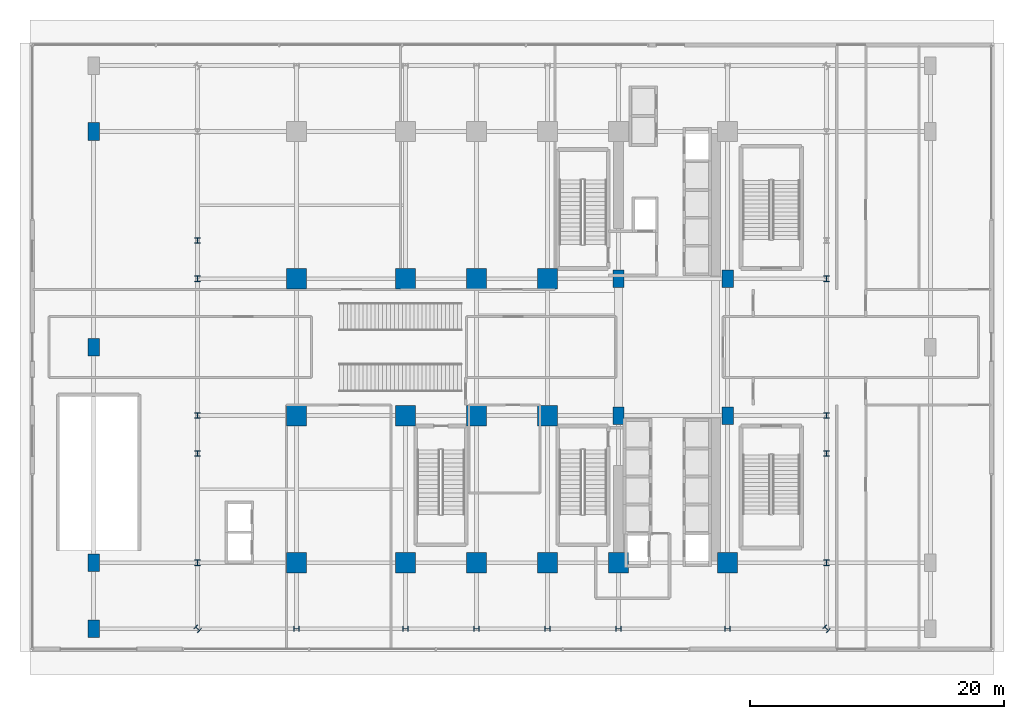
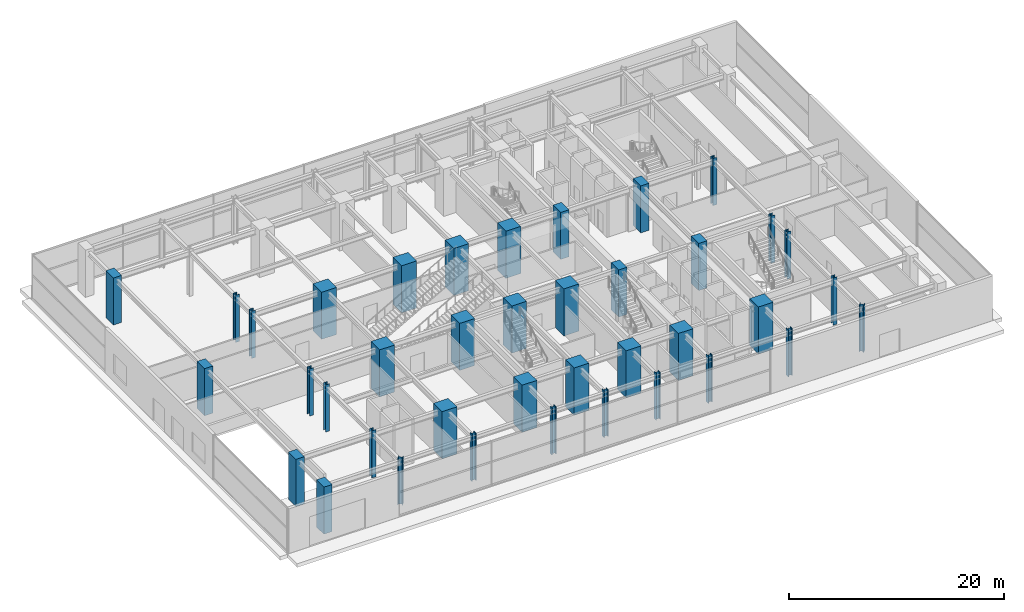
# One storey, part 1 of 29: 39 columns.
"""IFC4 building model written with IfcOpenShell, lengths in metres."""

import ifcopenshell
import ifcopenshell.guid

model = None  # the IFC model being written
_history = None  # IfcOwnerHistory: only IFC2X3 demands one
_inside = {}  # id of a spatial element -> (the spatial element, [elements in it])
_under = {}  # id of a project, library or spatial element -> (it, [spatial elements below it])
_declared = {}  # id of a project -> (the project, [libraries it declares])
_typed = {}  # id of a type object -> (the type object, [elements of that type])
_made_of = {}  # id of a material, layer set ... -> (it, [elements and type objects made of it])


def new_model(schema):
    """Start an empty IFC model of exactly this schema.

    Asked for "IFC4X3", IfcOpenShell would pick the latest addendum, in which some entities
    have other attributes; the version numbers below select the first issue.
    IFC2X3 requires an IfcOwnerHistory on every rooted entity: one is made here for all.
    """
    global model, _history
    if schema == "IFC4X3":
        model = ifcopenshell.file(schema_version=(4, 3, 0, 0))
    else:
        model = ifcopenshell.file(schema=schema)
    _inside.clear()
    _under.clear()
    _declared.clear()
    _typed.clear()
    _made_of.clear()
    _history = None
    if model.schema == "IFC2X3":
        org = make("IfcOrganization", Name="unknown")
        user = make(
            "IfcPersonAndOrganization",
            ThePerson=make("IfcPerson", FamilyName="unknown"),
            TheOrganization=org,
        )
        app = make(
            "IfcApplication",
            ApplicationDeveloper=org,
            Version="unknown",
            ApplicationFullName="unknown",
            ApplicationIdentifier="unknown",
        )
        _history = make(
            "IfcOwnerHistory",
            OwningUser=user,
            OwningApplication=app,
            ChangeAction="ADDED",
            CreationDate=0,
        )
    return model


def make(cls, **values):
    """One entity of the class cls with the attributes given. An attribute that is None is left unset."""
    return model.create_entity(
        cls, **{name: value for name, value in values.items() if value is not None}
    )


def rooted(cls, **values):
    """An entity with a GlobalId (a new one), such as an element, a storey or a relation."""
    return make(cls, GlobalId=ifcopenshell.guid.new(), OwnerHistory=_history, **values)


def si_unit(unit_type, name, prefix=None):
    """IfcSIUnit, for example si_unit("LENGTHUNIT", "METRE", prefix="MILLI")."""
    return make("IfcSIUnit", UnitType=unit_type, Prefix=prefix, Name=name)


def assignment(units):
    """IfcUnitAssignment: the units of a project."""
    return None if units is None else make("IfcUnitAssignment", Units=units)


def point(xyz):
    """IfcCartesianPoint."""
    return None if xyz is None else make("IfcCartesianPoint", Coordinates=xyz)


def direction(xyz):
    """IfcDirection."""
    return None if xyz is None else make("IfcDirection", DirectionRatios=xyz)


def frame(location, z_axis=None, x_axis=None):
    """IfcAxis2Placement3D, a coordinate frame: its origin and axes. An axis left out is left unset."""
    return make(
        "IfcAxis2Placement3D",
        Location=point(location),
        Axis=direction(z_axis),
        RefDirection=direction(x_axis),
    )


def frame_2d(location, x_axis=None):
    """IfcAxis2Placement2D, a coordinate frame in the plane: its origin and x axis."""
    return make(
        "IfcAxis2Placement2D", Location=point(location), RefDirection=direction(x_axis)
    )


def origin():
    """The frame at (0, 0, 0) with its axes left unset."""
    return frame((0.0, 0.0, 0.0))


def origin_2d():
    """The frame at (0, 0) in the plane with its x axis left unset."""
    return frame_2d((0.0, 0.0))


def place(relative_to, where):
    """IfcLocalPlacement: puts the frame where relative to a parent placement (None: the world)."""
    return make(
        "IfcLocalPlacement", PlacementRelTo=relative_to, RelativePlacement=where
    )


def context(
    kind, dimensions, precision=None, world=None, true_north=None, identifier=None
):
    """IfcGeometricRepresentationContext, for example the 3D "Model" context."""
    return make(
        "IfcGeometricRepresentationContext",
        ContextIdentifier=identifier,
        ContextType=kind,
        CoordinateSpaceDimension=dimensions,
        Precision=precision,
        WorldCoordinateSystem=world,
        TrueNorth=true_north,
    )


def subcontext(parent, identifier, kind, view, scale=None):
    """IfcGeometricRepresentationSubContext, for example "Body" below "Model"."""
    return make(
        "IfcGeometricRepresentationSubContext",
        ContextIdentifier=identifier,
        ContextType=kind,
        ParentContext=parent,
        TargetScale=scale,
        TargetView=view,
    )


def project(units=None, contexts=None):
    """IfcProject with its units and contexts."""
    return rooted(
        "IfcProject",
        Name="project",
        RepresentationContexts=contexts,
        UnitsInContext=assignment(units),
    )


def spatial(cls, under=None, at=None, **own):
    """A site, building, storey or space (cls), placed at a placement, below another one or the project."""
    s = rooted(cls, ObjectPlacement=at, **own)
    if under is not None:
        _under.setdefault(under.id(), (under, []))[1].append(s)
    return s


def profile(cls, at=None, kind="AREA", **sizes):
    """A parametric profile (cls). Its sizes go by their IFC names, for example OverallWidth=200.0."""
    return make(cls, ProfileType=kind, Position=at, **sizes)


def rectangle(**sizes):
    """IfcRectangleProfileDef."""
    return profile("IfcRectangleProfileDef", **sizes)


def i_section(**sizes):
    """IfcIShapeProfileDef."""
    return profile("IfcIShapeProfileDef", **sizes)


def extrude(swept, where, along, depth):
    """IfcExtrudedAreaSolid: the profile swept, set in the frame where, extruded along a direction by depth."""
    return make(
        "IfcExtrudedAreaSolid",
        SweptArea=swept,
        Position=where,
        ExtrudedDirection=direction(along),
        Depth=depth,
    )


def shape(context_of_items, identifier, shape_type, items):
    """IfcShapeRepresentation: the items that make up one representation, for example the "Body"."""
    return make(
        "IfcShapeRepresentation",
        ContextOfItems=context_of_items,
        RepresentationIdentifier=identifier,
        RepresentationType=shape_type,
        Items=items,
    )


def source(mapping_origin, context_of_items, identifier, shape_type, items):
    """IfcRepresentationMap: a shape defined once, which mapped items show again and again."""
    return make(
        "IfcRepresentationMap",
        MappingOrigin=mapping_origin,
        MappedRepresentation=shape(context_of_items, identifier, shape_type, items),
    )


def transform(
    local_origin,
    x_axis=None,
    y_axis=None,
    z_axis=None,
    scale=None,
    scale2=None,
    scale3=None,
    uniform=True,
):
    """IfcCartesianTransformationOperator3D, or its non-uniform kind. x_axis, y_axis, z_axis: its Axis1, 2, 3."""
    if uniform:
        return make(
            "IfcCartesianTransformationOperator3D",
            Axis1=direction(x_axis),
            Axis2=direction(y_axis),
            LocalOrigin=point(local_origin),
            Scale=scale,
            Axis3=direction(z_axis),
        )
    return make(
        "IfcCartesianTransformationOperator3DnonUniform",
        Axis1=direction(x_axis),
        Axis2=direction(y_axis),
        LocalOrigin=point(local_origin),
        Scale=scale,
        Axis3=direction(z_axis),
        Scale2=scale2,
        Scale3=scale3,
    )


def mapped(mapping_source, mapping_target):
    """IfcMappedItem: shows the shape of a source again, moved by a transform."""
    return make(
        "IfcMappedItem", MappingSource=mapping_source, MappingTarget=mapping_target
    )


def material(Name=None, Category=None):
    """IfcMaterial."""
    return make("IfcMaterial", Name=Name, Category=Category)


def material_profile(
    of_material, cross_section, Name=None, Category=None, Priority=None
):
    """IfcMaterialProfile: a cross section and its material."""
    return make(
        "IfcMaterialProfile",
        Name=Name,
        Material=of_material,
        Profile=cross_section,
        Priority=Priority,
        Category=Category,
    )


def profile_set(profiles, Name=None, composite=None):
    """IfcMaterialProfileSet."""
    return make(
        "IfcMaterialProfileSet",
        Name=Name,
        MaterialProfiles=profiles,
        CompositeProfile=composite,
    )


def made_of(thing, what):
    """Note that an element or type object is made of a material, layer set ...; save() writes the relation."""
    if what is not None:
        _made_of.setdefault(what.id(), (what, []))[1].append(thing)
    return thing


def type_object(cls, material=None, **own):
    """A type object (cls), such as IfcWallType, which elements share."""
    return made_of(rooted(cls, **own), material)


def element(
    cls,
    number,
    at=None,
    inside=None,
    cuts=None,
    type_object=None,
    material=None,
    context=None,
    identifier="Body",
    shape_type=None,
    held_by="IfcProductDefinitionShape",
    body=None,
    shapes=None,
    **own,
):
    """One element of the class cls, such as IfcWall. Its Tag is "e" and its number.

    at: its placement. inside: the storey or other place that contains it. cuts: it is an
    opening in that element (IfcRelVoidsElement). A single representation is given by context,
    identifier, shape_type and body (its items); several are given by shapes. held_by: the class
    of the entity that holds the representations. save() writes the other relations.
    """
    e = rooted(cls, Tag="e%d" % number, ObjectPlacement=at, **own)
    if body is not None:
        shapes = [shape(context, identifier, shape_type, body)]
    if shapes is not None:
        e.Representation = make(held_by, Representations=shapes)
    if inside is not None:
        _inside.setdefault(inside.id(), (inside, []))[1].append(e)
    if cuts is not None:
        rooted(
            "IfcRelVoidsElement", RelatingBuildingElement=cuts, RelatedOpeningElement=e
        )
    if type_object is not None:
        _typed.setdefault(type_object.id(), (type_object, []))[1].append(e)
    return made_of(e, material)


def aggregate(whole, parts):
    """IfcRelAggregates: a whole, such as a stair, and the parts it consists of."""
    return rooted("IfcRelAggregates", RelatingObject=whole, RelatedObjects=parts)


def save(model, path):
    """Write the relations noted so far, then the file.

    IfcRelAggregates (storeys below a building ...), IfcRelContainedInSpatialStructure (elements
    in a storey), IfcRelDefinesByType, IfcRelAssociatesMaterial and IfcRelDeclares: one each for
    every whole, place, type object, material and project.
    """
    for whole, parts in _under.values():
        aggregate(whole, parts)
    for where, things in _inside.values():
        rooted(
            "IfcRelContainedInSpatialStructure",
            RelatedElements=things,
            RelatingStructure=where,
        )
    for kind, things in _typed.values():
        rooted("IfcRelDefinesByType", RelatedObjects=things, RelatingType=kind)
    for what, things in _made_of.values():
        rooted("IfcRelAssociatesMaterial", RelatedObjects=things, RelatingMaterial=what)
    for by, libraries in _declared.values():
        rooted("IfcRelDeclares", RelatingContext=by, RelatedDefinitions=libraries)
    model.write(path)


model = new_model("IFC4")

# Units and contexts
model_context = context("Model", 3, precision=1e-05, world=origin(), true_north=direction((0.0, 1.0)))
body_context = subcontext(model_context, "Body", "Model", "MODEL_VIEW")
ifc_project = project(units=[si_unit("LENGTHUNIT", "METRE"), si_unit("AREAUNIT", "SQUARE_METRE"), si_unit("VOLUMEUNIT", "CUBIC_METRE"), si_unit("PLANEANGLEUNIT", "RADIAN"), si_unit("MASSUNIT", "GRAM", prefix="KILO")], contexts=[model_context])

# Site, building, storey
site_placement = place(None, origin())
site = spatial("IfcSite", under=ifc_project, at=site_placement, CompositionType="ELEMENT")
building_placement = place(site_placement, origin())
building = spatial("IfcBuilding", under=site, at=building_placement, Name="Nahalor Promenade Grand Hotel", CompositionType="ELEMENT")
storey_placement = place(building_placement, origin())
storey = spatial("IfcBuildingStorey", under=building, at=storey_placement, Name="L00", CompositionType="ELEMENT", Elevation=0.0)

# Columns
ifc_material_1 = material(Name="Concrete B-70 (C60/75)", Category="concrete")
ifc_material_profile_1 = material_profile(ifc_material_1, rectangle(XDim=1.6, YDim=1.6, at=origin_2d()), Name="RC 1600x1600")
ifc_profile_set_1 = profile_set([ifc_material_profile_1], Name="Concrete B-70 (C60/75)")
column_type_1 = type_object("IfcColumnType", Name="Col-RC-1600", PredefinedType="COLUMN", material=ifc_profile_set_1)
shared_shape_1 = source(origin(), body_context, "Body", "SweptSolid", [
    extrude(rectangle(XDim=1.6, YDim=1.6, at=origin_2d()), origin(), (0.0, 0.0, 1.0), 5.35498046875),
])
for number, where, z_axis, x_axis, name in (
    (1, (-17.0, -17.0, 0.0), (0.0, 0.0, 1.0), (1.0, 0.0, 0.0), "COL-L00-I00"),
    (2, (-17.0, -5.39990234375, 0.0), (0.0, 0.0, 1.0), (1.0, 0.0, 0.0), "COL-L00-I01"),
    (3, (-17.0, 5.39990234375, 0.0), (0.0, 0.0, 1.0), (1.0, 0.0, 0.0), "COL-L00-I02"),
    (4, (-8.39990234375, -17.0, 0.0), (0.0, 0.0, 1.0), (1.0, 0.0, 0.0), "COL-L00-I10"),
    (5, (-8.39990234375, -5.39990234375, 0.0), (0.0, 0.0, 1.0), (1.0, 0.0, 0.0), "COL-L00-I11"),
    (6, (-8.39990234375, 5.39990234375, 0.0), (0.0, 0.0, 1.0), (1.0, 0.0, 0.0), "COL-L00-I12"),
    (7, (-2.800048828125, -17.0, 0.0), (0.0, 0.0, 1.0), (1.0, 0.0, 0.0), "COL-L00-I20"),
    (8, (-2.800048828125, -5.39990234375, 0.0), (0.0, 0.0, 1.0), (1.0, 0.0, 0.0), "COL-L00-I21"),
    (9, (-2.800048828125, 5.39990234375, 0.0), (0.0, 0.0, 1.0), (1.0, 0.0, 0.0), "COL-L00-I22"),
    (10, (2.800048828125, -17.0, 0.0), (0.0, 0.0, 1.0), (1.0, 0.0, 0.0), "COL-L00-I30"),
    (11, (2.800048828125, -5.39990234375, 0.0), (0.0, 0.0, 1.0), (1.0, 0.0, 0.0), "COL-L00-I31"),
    (12, (2.800048828125, 5.39990234375, 0.0), (0.0, 0.0, 1.0), (1.0, 0.0, 0.0), "COL-L00-I32"),
    (13, (8.39990234375, -17.0, 0.0), (0.0, 0.0, 1.0), (1.0, 0.0, 0.0), "COL-L00-I40"),
    (14, (17.0, -17.0, 0.0), (0.0, 0.0, 1.0), (1.0, 0.0, 0.0), "COL-L00-I50"),
):
    element("IfcColumn", number, at=place(storey_placement, frame(where, z_axis=z_axis, x_axis=x_axis)), inside=storey, type_object=column_type_1, Name=name, PredefinedType="COLUMN", context=body_context, shape_type="MappedRepresentation", body=[
        mapped(shared_shape_1, transform((0.0, 0.0, 0.0), scale=1.0)),
    ])
ifc_material_2 = material(Name="Concrete B-60 (C50/60)", Category="concrete")
ifc_material_profile_2 = material_profile(ifc_material_2, rectangle(XDim=0.9, YDim=1.4, at=origin_2d()), Name="RC 900x1400")
ifc_profile_set_2 = profile_set([ifc_material_profile_2], Name="Concrete B-60 (C50/60)")
column_type_2 = type_object("IfcColumnType", Name="Col-Pilaster-1400", PredefinedType="PILASTER", material=ifc_profile_set_2)
shared_shape_2 = source(origin(), body_context, "Body", "SweptSolid", [
    extrude(rectangle(XDim=0.9, YDim=1.4, at=origin_2d()), origin(), (0.0, 0.0, 1.0), 5.35498046875),
])
for number, where, z_axis, x_axis, name in (
    (15, (8.39990234375, -5.39990234375, 0.0), (0.0, 0.0, 1.0), (1.0, 0.0, 0.0), "COL-L00-I41"),
    (16, (8.39990234375, 5.39990234375, 0.0), (0.0, 0.0, 1.0), (1.0, 0.0, 0.0), "COL-L00-I42"),
    (17, (17.0, -5.39990234375, 0.0), (0.0, 0.0, 1.0), (1.0, 0.0, 0.0), "COL-L00-I51"),
    (18, (17.0, 5.39990234375, 0.0), (0.0, 0.0, 1.0), (1.0, 0.0, 0.0), "COL-L00-I52"),
    (19, (-33.0, -22.199951171875, 0.0), (0.0, 0.0, 1.0), (1.0, 0.0, 0.0), "COL-L00-PC-W0"),
    (20, (-33.0, -17.0, 0.0), (0.0, 0.0, 1.0), (1.0, 0.0, 0.0), "COL-L00-PC-W1"),
    (21, (-33.0, 0.0, 0.0), (0.0, 0.0, 1.0), (1.0, 0.0, 0.0), "COL-L00-PC-W2"),
    (22, (-33.0, 17.0, 0.0), (0.0, 0.0, 1.0), (1.0, 0.0, 0.0), "COL-L00-PC-W3"),
):
    element("IfcColumn", number, at=place(storey_placement, frame(where, z_axis=z_axis, x_axis=x_axis)), inside=storey, type_object=column_type_2, Name=name, PredefinedType="PILASTER", context=body_context, shape_type="MappedRepresentation", body=[
        mapped(shared_shape_2, transform((0.0, 0.0, 0.0), scale=1.0)),
    ])
ifc_material_3 = material(Name="Steel S355J2", Category="steel")
ifc_material_profile_3 = material_profile(ifc_material_3, i_section(OverallWidth=0.416, OverallDepth=0.446, WebThickness=0.025, FlangeThickness=0.04, at=origin_2d()), Name="HD 400x509")
ifc_profile_set_3 = profile_set([ifc_material_profile_3], Name="Steel S355J2")
column_type_3 = type_object("IfcColumnType", Name="Col-Steel-HD509", PredefinedType="COLUMN", material=ifc_profile_set_3)
shared_shape_3 = source(origin(), body_context, "Body", "SweptSolid", [
    extrude(i_section(OverallWidth=0.416, OverallDepth=0.446, WebThickness=0.025, FlangeThickness=0.04, at=origin_2d()), origin(), (0.0, 0.0, 1.0), 5.35498046875),
])
for number, where, z_axis, x_axis, name in (
    (23, (-24.800048828125, -17.0, 0.0), (0.0, 0.0, 1.0), (1.0, 0.0, 0.0), "COL-L00-PW-W0"),
    (24, (24.800048828125, -17.0, 0.0), (0.0, 0.0, 1.0), (1.0, 0.0, 0.0), "COL-L00-PW-E0"),
    (25, (-24.800048828125, -8.39990234375, 0.0), (0.0, 0.0, 1.0), (1.0, 0.0, 0.0), "COL-L00-PW-W1"),
    (26, (24.800048828125, -8.39990234375, 0.0), (0.0, 0.0, 1.0), (1.0, 0.0, 0.0), "COL-L00-PW-E1"),
    (27, (-24.800048828125, -5.39990234375, 0.0), (0.0, 0.0, 1.0), (1.0, 0.0, 0.0), "COL-L00-PW-W2"),
    (28, (24.800048828125, -5.39990234375, 0.0), (0.0, 0.0, 1.0), (1.0, 0.0, 0.0), "COL-L00-PW-E2"),
    (29, (-24.800048828125, 5.39990234375, 0.0), (0.0, 0.0, 1.0), (1.0, 0.0, 0.0), "COL-L00-PW-W3"),
    (30, (24.800048828125, 5.39990234375, 0.0), (0.0, 0.0, 1.0), (1.0, 0.0, 0.0), "COL-L00-PW-E3"),
    (31, (-24.800048828125, 8.39990234375, 0.0), (0.0, 0.0, 1.0), (1.0, 0.0, 0.0), "COL-L00-PW-W4"),
    (32, (-17.0, -22.199951171875, 0.0), (0.0, 0.0, 1.0), (0.0, 1.0, 0.0), "COL-L00-PN-S0"),
    (33, (-8.39990234375, -22.199951171875, 0.0), (0.0, 0.0, 1.0), (0.0, 1.0, 0.0), "COL-L00-PN-S1"),
    (34, (-2.800048828125, -22.199951171875, 0.0), (0.0, 0.0, 1.0), (0.0, 1.0, 0.0), "COL-L00-PN-S2"),
    (35, (2.800048828125, -22.199951171875, 0.0), (0.0, 0.0, 1.0), (0.0, 1.0, 0.0), "COL-L00-PN-S3"),
    (36, (8.39990234375, -22.199951171875, 0.0), (0.0, 0.0, 1.0), (0.0, 1.0, 0.0), "COL-L00-PN-S4"),
    (37, (17.0, -22.199951171875, 0.0), (0.0, 0.0, 1.0), (0.0, 1.0, 0.0), "COL-L00-PN-S5"),
    (38, (-24.800048828125, -22.199951171875, 0.0), (0.0, 0.0, 1.0), (0.707106781187, 0.707106781187, 0.0), "COL-L00-CRN-SW"),
    (39, (24.800048828125, -22.199951171875, 0.0), (0.0, 0.0, 1.0), (0.707106781187, 0.707106781187, 0.0), "COL-L00-CRN-SE"),
):
    element("IfcColumn", number, at=place(storey_placement, frame(where, z_axis=z_axis, x_axis=x_axis)), inside=storey, type_object=column_type_3, Name=name, PredefinedType="COLUMN", context=body_context, shape_type="MappedRepresentation", body=[
        mapped(shared_shape_3, transform((0.0, 0.0, 0.0), scale=1.0)),
    ])

save(model, "model.ifc")
